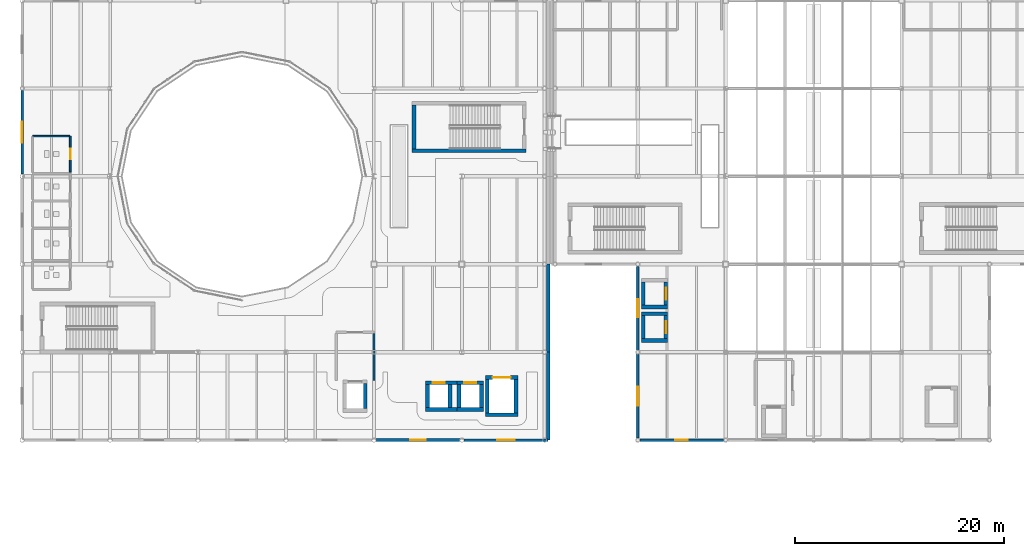
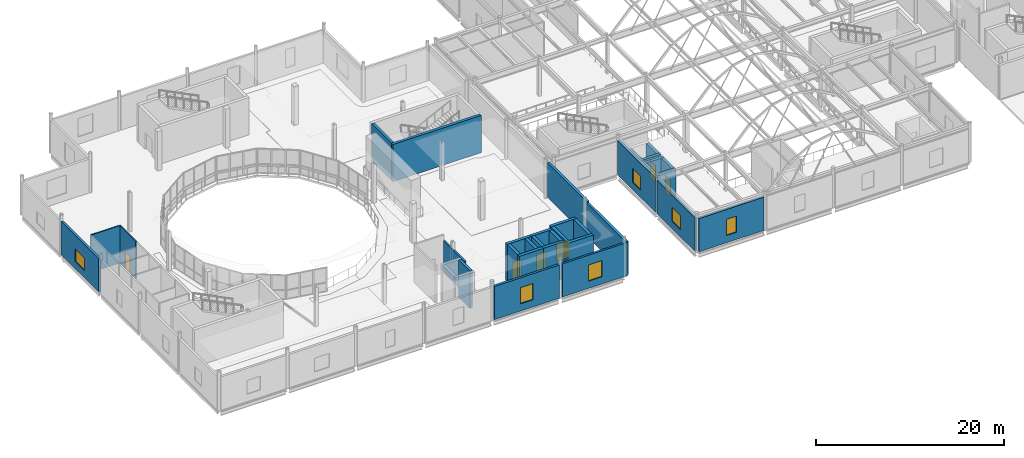
# One storey, part 63 of 103: 33 walls, 6 doors, 6 windows, 12 openings.
"""IFC4 building model written with IfcOpenShell, lengths in metres."""

from ifc_helpers import new_model, si_unit, direction, frame, frame_2d, origin, place, context, subcontext, project, spatial, rectangle, extrude, material, layer, layer_set, type_object, element, fill, save


model = new_model("IFC4")

# Units and contexts
model_context = context("Model", 3, precision=1e-05, world=origin(), true_north=direction((0.0, 1.0)))
body_context = subcontext(model_context, "Body", "Model", "MODEL_VIEW")
ifc_project = project(units=[si_unit("LENGTHUNIT", "METRE"), si_unit("AREAUNIT", "SQUARE_METRE"), si_unit("VOLUMEUNIT", "CUBIC_METRE"), si_unit("PLANEANGLEUNIT", "RADIAN"), si_unit("MASSUNIT", "GRAM", prefix="KILO"), si_unit("THERMODYNAMICTEMPERATUREUNIT", "KELVIN")], contexts=[model_context])

# Site, building, storey
site_placement = place(None, origin())
site = spatial("IfcSite", under=ifc_project, at=site_placement, CompositionType="ELEMENT")
building_placement = place(site_placement, origin())
building = spatial("IfcBuilding", under=site, at=building_placement, Name="Lustrewick Department Store", CompositionType="ELEMENT")
storey_placement = place(building_placement, frame((0.0, 0.0, 16.5)))
storey = spatial("IfcBuildingStorey", under=building, at=storey_placement, Name="L04", CompositionType="ELEMENT", Elevation=16.5)

# Wall, opening, window
ifc_material_1 = material(Name="Precast concrete C40", Category="concrete")
ifc_layer_1 = layer(ifc_material_1, 0.239990234375, Name="Precast concrete C40")
ifc_layer_set_1 = layer_set([ifc_layer_1], Name="Precast concrete C40")
wall_type_1 = type_object("IfcWallType", Name="EW01", PredefinedType="STANDARD", material=ifc_layer_set_1)
wall_1_placement = place(storey_placement, frame((50.597900390625, 42.0, 0.0), z_axis=(0.0, 0.0, 1.0), x_axis=(1.0, 0.0, 0.0)))
wall_1 = element("IfcWall", 1, at=wall_1_placement, inside=storey, type_object=wall_type_1, Name="L04 V1 Exterior Wall EW01", PredefinedType="STANDARD", context=body_context, shape_type="SweptSolid", body=[
    extrude(rectangle(XDim=8.052001953125, YDim=0.239990234375, at=frame_2d((4.02587890625, 0.0))), origin(), (0.0, 0.0, 1.0), 4.320068359375),
])
opening_1_placement = place(wall_1_placement, frame((3.18603515625, 0.0, 0.949951171875)))
opening_1 = element("IfcOpeningElement", 2, at=opening_1_placement, cuts=wall_1, Name="Opening WN09", PredefinedType="OPENING", context=body_context, shape_type="SweptSolid", body=[
    extrude(rectangle(XDim=1.679931640625, YDim=2.10009765625, at=frame_2d((0.83984375, 1.050048828125))), frame((0.0, 0.1298828125, 0.0), z_axis=(0.0, -1.0, 0.0), x_axis=(1.0, 0.0, 0.0)), (0.0, 0.0, 1.0), 0.260009765625),
])
ifc_material_2 = material(Name="Thermally broken Low-E triple-glazed window", Category="glass")
window_type_1 = type_object("IfcWindowType", Name="WN09", PartitioningType="DOUBLE_PANEL_VERTICAL", PredefinedType="WINDOW", material=ifc_material_2)
window_1_placement = place(opening_1_placement, origin())
window_1 = element("IfcWindow", 3, at=window_1_placement, inside=storey, type_object=window_type_1, Name="L04 Art Nouveau Window WN09", OverallHeight=2.10009765625, OverallWidth=1.679931640625, PartitioningType="SINGLE_PANEL", PredefinedType="WINDOW", context=body_context, shape_type="SweptSolid", body=[
    extrude(rectangle(XDim=1.679931640625, YDim=2.10009765625, at=frame_2d((0.83984375, 1.050048828125))), frame((0.0, 0.030029296875, 0.0), z_axis=(0.0, -1.0, 0.0), x_axis=(1.0, 0.0, 0.0)), (0.0, 0.0, 1.0), 0.06005859375),
])
fill(opening_1, window_1)

wall_2_placement = place(storey_placement, frame((67.199951171875, 50.216552734375, 0.0), z_axis=(0.0, 0.0, 1.0), x_axis=(0.0, -1.0, 0.0)))
wall_2 = element("IfcWall", 4, at=wall_2_placement, inside=storey, type_object=wall_type_1, Name="L04 V2 Exterior Wall EW01", PredefinedType="STANDARD", context=body_context, shape_type="SweptSolid", body=[
    extrude(rectangle(XDim=8.0185546875, YDim=0.239990234375, at=frame_2d((4.00927734375, 0.0))), origin(), (0.0, 0.0, 1.0), 4.320068359375),
])
opening_2_placement = place(wall_2_placement, frame((3.109375, 0.0, 0.949951171875)))
opening_2 = element("IfcOpeningElement", 5, at=opening_2_placement, cuts=wall_2, Name="Opening WN05", PredefinedType="OPENING", context=body_context, shape_type="SweptSolid", body=[
    extrude(rectangle(XDim=1.800048828125, YDim=1.800048828125, at=frame_2d((0.89990234375, 0.89990234375))), frame((0.0, 0.1298828125, 0.0), z_axis=(0.0, -1.0, 0.0), x_axis=(1.0, 0.0, 0.0)), (0.0, 0.0, 1.0), 0.260009765625),
])
window_type_2 = type_object("IfcWindowType", Name="WN05", PartitioningType="DOUBLE_PANEL_VERTICAL", PredefinedType="WINDOW", material=ifc_material_2)
window_2_placement = place(opening_2_placement, origin())
window_2 = element("IfcWindow", 6, at=window_2_placement, inside=storey, type_object=window_type_2, Name="L04 Art Nouveau Window WN05", OverallHeight=1.800048828125, OverallWidth=1.800048828125, PartitioningType="SINGLE_PANEL", PredefinedType="WINDOW", context=body_context, shape_type="SweptSolid", body=[
    extrude(rectangle(XDim=1.800048828125, YDim=1.800048828125, at=frame_2d((0.89990234375, 0.89990234375))), frame((0.0, 0.030029296875, 0.0), z_axis=(0.0, -1.0, 0.0), x_axis=(1.0, 0.0, 0.0)), (0.0, 0.0, 1.0), 0.06005859375),
])
fill(opening_2, window_2)

wall_3_placement = place(storey_placement, frame((67.39794921875, 42.0, 0.0), z_axis=(0.0, 0.0, 1.0), x_axis=(1.0, 0.0, 0.0)))
wall_3 = element("IfcWall", 7, at=wall_3_placement, inside=storey, type_object=wall_type_1, Name="L04 V2 Exterior Wall EW01", PredefinedType="STANDARD", context=body_context, shape_type="SweptSolid", body=[
    extrude(rectangle(XDim=8.004150390625, YDim=0.239990234375, at=frame_2d((4.001953125, 0.0))), origin(), (0.0, 0.0, 1.0), 4.320068359375),
])
opening_3_placement = place(wall_3_placement, frame((3.402099609375, 0.0, 0.949951171875)))
opening_3 = element("IfcOpeningElement", 8, at=opening_3_placement, cuts=wall_3, Name="Opening WN06", PredefinedType="OPENING", context=body_context, shape_type="SweptSolid", body=[
    extrude(rectangle(XDim=1.199951171875, YDim=2.10009765625, at=frame_2d((0.60009765625, 1.050048828125))), frame((0.0, 0.1298828125, 0.0), z_axis=(0.0, -1.0, 0.0), x_axis=(1.0, 0.0, 0.0)), (0.0, 0.0, 1.0), 0.260009765625),
])
window_type_3 = type_object("IfcWindowType", Name="WN06", PartitioningType="DOUBLE_PANEL_VERTICAL", PredefinedType="WINDOW", material=ifc_material_2)
window_3_placement = place(opening_3_placement, origin())
window_3 = element("IfcWindow", 9, at=window_3_placement, inside=storey, type_object=window_type_3, Name="L04 Art Nouveau Window WN06", OverallHeight=2.10009765625, OverallWidth=1.199951171875, PartitioningType="SINGLE_PANEL", PredefinedType="WINDOW", context=body_context, shape_type="SweptSolid", body=[
    extrude(rectangle(XDim=1.199951171875, YDim=2.10009765625, at=frame_2d((0.60009765625, 1.050048828125))), frame((0.0, 0.030029296875, 0.0), z_axis=(0.0, -1.0, 0.0), x_axis=(1.0, 0.0, 0.0)), (0.0, 0.0, 1.0), 0.06005859375),
])
fill(opening_3, window_3)

ifc_layer_2 = layer(ifc_material_1, 0.260009765625, Name="Precast concrete C40")
ifc_layer_set_2 = layer_set([ifc_layer_2], Name="Precast concrete C40")
wall_type_2 = type_object("IfcWallType", Name="EW02", PredefinedType="STANDARD", material=ifc_layer_set_2)
wall_4_placement = place(storey_placement, frame((8.39990234375, 75.41650390625, 0.0), z_axis=(0.0, 0.0, 1.0), x_axis=(0.0, -1.0, 0.0)))
wall_4 = element("IfcWall", 10, at=wall_4_placement, inside=storey, type_object=wall_type_2, Name="L04 V1 Exterior Wall EW02", PredefinedType="STANDARD", context=body_context, shape_type="SweptSolid", body=[
    extrude(rectangle(XDim=8.0185546875, YDim=0.260009765625, at=frame_2d((4.00927734375, 0.0))), origin(), (0.0, 0.0, 1.0), 4.3310546875),
])
opening_4_placement = place(wall_4_placement, frame((3.00927734375, 0.0, 0.949951171875)))
opening_4 = element("IfcOpeningElement", 11, at=opening_4_placement, cuts=wall_4, Name="Opening WN20", PredefinedType="OPENING", context=body_context, shape_type="SweptSolid", body=[
    extrude(rectangle(XDim=2.0, YDim=1.60009765625, at=frame_2d((1.0, 0.800048828125))), frame((0.0, 0.14013671875, 0.0), z_axis=(0.0, -1.0, 0.0), x_axis=(1.0, 0.0, 0.0)), (0.0, 0.0, 1.0), 0.280029296875),
])
window_type_4 = type_object("IfcWindowType", Name="WN20", PartitioningType="DOUBLE_PANEL_VERTICAL", PredefinedType="WINDOW", material=ifc_material_2)
window_4_placement = place(opening_4_placement, origin())
window_4 = element("IfcWindow", 12, at=window_4_placement, inside=storey, type_object=window_type_4, Name="L04 Art Nouveau Window WN20", OverallHeight=1.60009765625, OverallWidth=2.0, PartitioningType="SINGLE_PANEL", PredefinedType="WINDOW", context=body_context, shape_type="SweptSolid", body=[
    extrude(rectangle(XDim=2.0, YDim=1.60009765625, at=frame_2d((1.0, 0.800048828125))), frame((0.0, 0.030029296875, 0.0), z_axis=(0.0, -1.0, 0.0), x_axis=(1.0, 0.0, 0.0)), (0.0, 0.0, 1.0), 0.06005859375),
])
fill(opening_4, window_4)

ifc_layer_3 = layer(ifc_material_1, 0.280029296875, Name="Precast concrete C40")
ifc_layer_set_3 = layer_set([ifc_layer_3], Name="Precast concrete C40")
wall_type_3 = type_object("IfcWallType", Name="EW03", PredefinedType="STANDARD", material=ifc_layer_set_3)
wall_5_placement = place(storey_placement, frame((42.197998046875, 42.0, 0.0), z_axis=(0.0, 0.0, 1.0), x_axis=(1.0, 0.0, 0.0)))
wall_5 = element("IfcWall", 13, at=wall_5_placement, inside=storey, type_object=wall_type_3, Name="L04 V1 Exterior Wall EW03", PredefinedType="STANDARD", context=body_context, shape_type="SweptSolid", body=[
    extrude(rectangle(XDim=8.00390625, YDim=0.280029296875, at=frame_2d((4.001953125, 0.0))), origin(), (0.0, 0.0, 1.0), 4.320068359375),
])
opening_5_placement = place(wall_5_placement, frame((3.251953125, 0.0, 0.949951171875)))
opening_5 = element("IfcOpeningElement", 14, at=opening_5_placement, cuts=wall_5, Name="Opening WN08", PredefinedType="OPENING", context=body_context, shape_type="SweptSolid", body=[
    extrude(rectangle(XDim=1.5, YDim=2.10009765625, at=frame_2d((0.75, 1.050048828125))), frame((0.0, 0.14990234375, 0.0), z_axis=(0.0, -1.0, 0.0), x_axis=(1.0, 0.0, 0.0)), (0.0, 0.0, 1.0), 0.300048828125),
])
window_type_5 = type_object("IfcWindowType", Name="WN08", PartitioningType="DOUBLE_PANEL_VERTICAL", PredefinedType="WINDOW", material=ifc_material_2)
window_5_placement = place(opening_5_placement, origin())
window_5 = element("IfcWindow", 15, at=window_5_placement, inside=storey, type_object=window_type_5, Name="L04 Art Nouveau Window WN08", OverallHeight=2.10009765625, OverallWidth=1.5, PartitioningType="SINGLE_PANEL", PredefinedType="WINDOW", context=body_context, shape_type="SweptSolid", body=[
    extrude(rectangle(XDim=1.5, YDim=2.10009765625, at=frame_2d((0.75, 1.050048828125))), frame((0.0, 0.030029296875, 0.0), z_axis=(0.0, -1.0, 0.0), x_axis=(1.0, 0.0, 0.0)), (0.0, 0.0, 1.0), 0.06005859375),
])
fill(opening_5, window_5)

wall_6_placement = place(storey_placement, frame((67.199951171875, 58.60205078125, 0.0), z_axis=(0.0, 0.0, 1.0), x_axis=(0.0, -1.0, 0.0)))
wall_6 = element("IfcWall", 16, at=wall_6_placement, inside=storey, type_object=wall_type_3, Name="L04 V2 Exterior Wall EW03", PredefinedType="STANDARD", context=body_context, shape_type="SweptSolid", body=[
    extrude(rectangle(XDim=8.0185546875, YDim=0.280029296875, at=frame_2d((4.00927734375, 0.0))), origin(), (0.0, 0.0, 1.0), 4.487060546875),
])
opening_6_placement = place(wall_6_placement, frame((3.169189453125, 0.0, 0.949951171875)))
opening_6 = element("IfcOpeningElement", 17, at=opening_6_placement, cuts=wall_6, Name="Opening WN04", PredefinedType="OPENING", context=body_context, shape_type="SweptSolid", body=[
    extrude(rectangle(XDim=1.679931640625, YDim=1.800048828125, at=frame_2d((0.83984375, 0.89990234375))), frame((0.0, 0.14990234375, 0.0), z_axis=(0.0, -1.0, 0.0), x_axis=(1.0, 0.0, 0.0)), (0.0, 0.0, 1.0), 0.300048828125),
])
window_type_6 = type_object("IfcWindowType", Name="WN04", PartitioningType="DOUBLE_PANEL_VERTICAL", PredefinedType="WINDOW", material=ifc_material_2)
window_6_placement = place(opening_6_placement, origin())
window_6 = element("IfcWindow", 18, at=window_6_placement, inside=storey, type_object=window_type_6, Name="L04 Art Nouveau Window WN04", OverallHeight=1.800048828125, OverallWidth=1.679931640625, PartitioningType="SINGLE_PANEL", PredefinedType="WINDOW", context=body_context, shape_type="SweptSolid", body=[
    extrude(rectangle(XDim=1.679931640625, YDim=1.800048828125, at=frame_2d((0.83984375, 0.89990234375))), frame((0.0, 0.030029296875, 0.0), z_axis=(0.0, -1.0, 0.0), x_axis=(1.0, 0.0, 0.0)), (0.0, 0.0, 1.0), 0.06005859375),
])
fill(opening_6, window_6)

# Walls
ifc_layer_4 = layer(ifc_material_1, 0.300048828125, Name="Precast concrete C40")
ifc_layer_set_4 = layer_set([ifc_layer_4], Name="Precast concrete C40")
wall_type_4 = type_object("IfcWallType", Name="EW04", PredefinedType="STANDARD", material=ifc_layer_set_4)
wall_7_placement = place(storey_placement, frame((58.64990234375, 42.0, 0.0), z_axis=(0.0, 0.0, 1.0), x_axis=(0.0, 1.0, 0.0)))
element("IfcWall", 19, at=wall_7_placement, inside=storey, type_object=wall_type_4, Name="L04 V1 Exterior Wall EW04", PredefinedType="STANDARD", context=body_context, shape_type="SweptSolid", body=[
    extrude(rectangle(XDim=8.39990234375, YDim=0.300048828125, at=frame_2d((4.199951171875, 0.0))), origin(), (0.0, 0.0, 1.0), 4.320068359375),
])
wall_8_placement = place(storey_placement, frame((58.64990234375, 50.39990234375, 0.0), z_axis=(0.0, 0.0, 1.0), x_axis=(0.0, 1.0, 0.0)))
element("IfcWall", 20, at=wall_8_placement, inside=storey, type_object=wall_type_4, Name="L04 V1 Exterior Wall EW04", PredefinedType="STANDARD", context=body_context, shape_type="SweptSolid", body=[
    extrude(rectangle(XDim=8.400146484375, YDim=0.300048828125, at=frame_2d((4.2001953125, 0.0))), origin(), (0.0, 0.0, 1.0), 4.487060546875),
])
ifc_material_3 = material(Name="Autoclaved aerated concrete blockwork and fire board", Category="masonry")
ifc_layer_5 = layer(ifc_material_3, 0.205078125, Name="Autoclaved aerated concrete blockwork and fire board")
ifc_layer_set_5 = layer_set([ifc_layer_5], Name="Autoclaved aerated concrete blockwork and fire board")
wall_type_5 = type_object("IfcWallType", Name="PW02", PredefinedType="PARTITIONING", material=ifc_layer_set_5)
wall_9_placement = place(storey_placement, frame((42.0, 47.699951171875, 0.0), z_axis=(0.0, 0.0, 1.0), x_axis=(0.0, 1.0, 0.0)))
element("IfcWall", 21, at=wall_9_placement, inside=storey, type_object=wall_type_5, Name="L04 Firefighting Lift Lobby FFL-01 PW02", PredefinedType="PARTITIONING", context=body_context, shape_type="SweptSolid", body=[
    extrude(rectangle(XDim=4.50244140625, YDim=0.205078125, at=frame_2d((2.251220703125, 0.0))), origin(), (0.0, 0.0, 1.0), 4.14501953125),
])

# Wall, opening, door
ifc_material_4 = material(Name="Moisture-resistant cement board sanitary partition", Category="gypsum")
ifc_layer_6 = layer(ifc_material_4, 0.14990234375, Name="Moisture-resistant cement board sanitary partition")
ifc_layer_set_6 = layer_set([ifc_layer_6], Name="Moisture-resistant cement board sanitary partition")
wall_type_6 = type_object("IfcWallType", Name="PW05", PredefinedType="PARTITIONING", material=ifc_layer_set_6)
wall_10_placement = place(storey_placement, frame((13.0, 67.60009765625, 0.0), z_axis=(0.0, 0.0, 1.0), x_axis=(0.0, 1.0, 0.0)))
wall_10 = element("IfcWall", 22, at=wall_10_placement, inside=storey, type_object=wall_type_6, Name="L04 Nursery Room PW05", PredefinedType="PARTITIONING", context=body_context, shape_type="SweptSolid", body=[
    extrude(rectangle(XDim=3.43994140625, YDim=0.14990234375, at=frame_2d((1.719970703125, 0.0))), origin(), (0.0, 0.0, 1.0), 4.844970703125),
])
opening_7_placement = place(wall_10_placement, frame((1.22998046875, 0.0, 0.0)))
opening_7 = element("IfcOpeningElement", 23, at=opening_7_placement, cuts=wall_10, Name="Opening D-L04-046", PredefinedType="OPENING", context=body_context, shape_type="SweptSolid", body=[
    extrude(rectangle(XDim=0.97998046875, YDim=2.10009765625, at=frame_2d((0.489990234375, 1.050048828125))), frame((0.0, 0.0849609375, 0.0), z_axis=(0.0, -1.0, 0.0), x_axis=(1.0, 0.0, 0.0)), (0.0, 0.0, 1.0), 0.169921875),
])
ifc_material_5 = material(Name="Barrier-free accessible sanitary door", Category="steel")
door_type_1 = type_object("IfcDoorType", Name="DT-12", OperationType="NOTDEFINED", PredefinedType="DOOR", material=ifc_material_5)
door_1_placement = place(opening_7_placement, origin())
door_1 = element("IfcDoor", 24, at=door_1_placement, inside=storey, type_object=door_type_1, Name="L04 Nursery Room Door D-L04-046", OperationType="SINGLE_SWING_RIGHT", OverallHeight=2.10009765625, OverallWidth=0.97998046875, PredefinedType="DOOR", context=body_context, shape_type="SweptSolid", body=[
    extrude(rectangle(XDim=0.97998046875, YDim=2.10009765625, at=frame_2d((0.489990234375, 1.050048828125))), frame((0.0, 0.02490234375, 0.0), z_axis=(0.0, -1.0, 0.0), x_axis=(1.0, 0.0, 0.0)), (0.0, 0.0, 1.0), 0.050048828125),
])
fill(opening_7, door_1)

# Walls
wall_11_placement = place(storey_placement, frame((12.929931640625, 71.0400390625, 0.0), z_axis=(0.0, 0.0, 1.0), x_axis=(-1.0, 0.0, 0.0)))
element("IfcWall", 25, at=wall_11_placement, inside=storey, type_object=wall_type_6, Name="L04 Nursery Room PW05", PredefinedType="PARTITIONING", context=body_context, shape_type="SweptSolid", body=[
    extrude(rectangle(XDim=3.530029296875, YDim=0.14990234375, at=frame_2d((1.76513671875, 0.0))), origin(), (0.0, 0.0, 1.0), 4.844970703125),
])
ifc_material_6 = material(Name="Concrete C40", Category="concrete")
ifc_layer_7 = layer(ifc_material_6, 0.360107421875, Name="Concrete C40")
ifc_layer_set_7 = layer_set([ifc_layer_7], Name="Concrete C40")
wall_type_7 = type_object("IfcWallType", Name="SW04", PredefinedType="SHEAR", material=ifc_layer_set_7)
wall_12_placement = place(storey_placement, frame((41.179931640625, 45.0, 0.0), z_axis=(0.0, 0.0, 1.0), x_axis=(0.0, 1.0, 0.0)))
element("IfcWall", 26, at=wall_12_placement, inside=storey, type_object=wall_type_7, Name="L04 Lift FFL-01 Shaft Wall +X", PredefinedType="SHEAR", context=body_context, shape_type="SweptSolid", body=[
    extrude(rectangle(XDim=2.39990234375, YDim=0.360107421875, at=frame_2d((1.199951171875, 0.0))), origin(), (0.0, 0.0, 1.0), 4.844970703125),
])
wall_13_placement = place(storey_placement, frame((46.93994140625, 44.919921875, 0.0), z_axis=(0.0, 0.0, 1.0), x_axis=(1.0, 0.0, 0.0)))
element("IfcWall", 27, at=wall_13_placement, inside=storey, type_object=wall_type_7, Name="L04 Lift PL-01 Shaft Wall -Y", PredefinedType="SHEAR", context=body_context, shape_type="SweptSolid", body=[
    extrude(rectangle(XDim=3.0, YDim=0.360107421875, at=frame_2d((1.5, 0.0))), origin(), (0.0, 0.0, 1.0), 4.844970703125),
])
wall_14_placement = place(storey_placement, frame((49.280029296875, 45.10009765625, 0.0), z_axis=(0.0, 0.0, 1.0), x_axis=(0.0, 1.0, 0.0)))
element("IfcWall", 28, at=wall_14_placement, inside=storey, type_object=wall_type_7, Name="L04 Lift PL-01 Shaft Wall +X", PredefinedType="SHEAR", context=body_context, shape_type="SweptSolid", body=[
    extrude(rectangle(XDim=2.199951171875, YDim=0.360107421875, at=frame_2d((1.10009765625, 0.0))), origin(), (0.0, 0.0, 1.0), 4.844970703125),
])

# Wall, opening, door
wall_15_placement = place(storey_placement, frame((49.93994140625, 47.47998046875, 0.0), z_axis=(0.0, 0.0, 1.0), x_axis=(-1.0, 0.0, 0.0)))
wall_15 = element("IfcWall", 29, at=wall_15_placement, inside=storey, type_object=wall_type_7, Name="L04 Lift PL-01 Shaft Wall +Y", PredefinedType="SHEAR", context=body_context, shape_type="SweptSolid", body=[
    extrude(rectangle(XDim=3.0, YDim=0.360107421875, at=frame_2d((1.5, 0.0))), origin(), (0.0, 0.0, 1.0), 4.844970703125),
])
opening_8_placement = place(wall_15_placement, frame((1.1650390625, 0.0, 0.0)))
opening_8 = element("IfcOpeningElement", 30, at=opening_8_placement, cuts=wall_15, Name="Opening LD-L04-05", PredefinedType="OPENING", context=body_context, shape_type="SweptSolid", body=[
    extrude(rectangle(XDim=1.14990234375, YDim=2.199951171875, at=frame_2d((0.574951171875, 1.10009765625))), frame((0.0, 0.18994140625, 0.0), z_axis=(0.0, -1.0, 0.0), x_axis=(1.0, 0.0, 0.0)), (0.0, 0.0, 1.0), 0.380126953125),
])
ifc_material_7 = material(Name="Brushed bronze passenger lift landing door EI 60", Category="steel")
door_type_2 = type_object("IfcDoorType", Name="DT-16", OperationType="NOTDEFINED", PredefinedType="DOOR", material=ifc_material_7)
door_2_placement = place(opening_8_placement, frame((1.14990234375, 0.0, 0.0), z_axis=(0.0, 0.0, 1.0), x_axis=(-1.0, 0.0, 0.0)))
door_2 = element("IfcDoor", 31, at=door_2_placement, inside=storey, type_object=door_type_2, Name="L04 Lift PL-01 Sliding Landing Door LD-L04-05", OperationType="DOUBLE_DOOR_SLIDING", OverallHeight=2.199951171875, OverallWidth=1.14990234375, PredefinedType="DOOR", context=body_context, shape_type="SweptSolid", body=[
    extrude(rectangle(XDim=1.14990234375, YDim=2.199951171875, at=frame_2d((0.574951171875, 1.10009765625))), frame((0.0, 0.02490234375, 0.0), z_axis=(0.0, -1.0, 0.0), x_axis=(1.0, 0.0, 0.0)), (0.0, 0.0, 1.0), 0.050048828125),
])
fill(opening_8, door_2)

# Walls
wall_16_placement = place(storey_placement, frame((47.1201171875, 47.300048828125, 0.0), z_axis=(0.0, 0.0, 1.0), x_axis=(0.0, -1.0, 0.0)))
element("IfcWall", 32, at=wall_16_placement, inside=storey, type_object=wall_type_7, Name="L04 Lift PL-01 Shaft Wall -X", PredefinedType="SHEAR", context=body_context, shape_type="SweptSolid", body=[
    extrude(rectangle(XDim=2.199951171875, YDim=0.360107421875, at=frame_2d((1.10009765625, 0.0))), origin(), (0.0, 0.0, 1.0), 4.844970703125),
])
wall_17_placement = place(storey_placement, frame((49.93994140625, 44.919921875, 0.0), z_axis=(0.0, 0.0, 1.0), x_axis=(1.0, 0.0, 0.0)))
element("IfcWall", 33, at=wall_17_placement, inside=storey, type_object=wall_type_7, Name="L04 Lift PL-02 Shaft Wall -Y", PredefinedType="SHEAR", context=body_context, shape_type="SweptSolid", body=[
    extrude(rectangle(XDim=2.52001953125, YDim=0.360107421875, at=frame_2d((1.260009765625, 0.0))), origin(), (0.0, 0.0, 1.0), 4.844970703125),
])
wall_18_placement = place(storey_placement, frame((52.280029296875, 45.10009765625, 0.0), z_axis=(0.0, 0.0, 1.0), x_axis=(0.0, 1.0, 0.0)))
element("IfcWall", 34, at=wall_18_placement, inside=storey, type_object=wall_type_7, Name="L04 Lift PL-02 Shaft Wall +X", PredefinedType="SHEAR", context=body_context, shape_type="SweptSolid", body=[
    extrude(rectangle(XDim=2.199951171875, YDim=0.360107421875, at=frame_2d((1.10009765625, 0.0))), origin(), (0.0, 0.0, 1.0), 4.844970703125),
])

# Wall, opening, door
wall_19_placement = place(storey_placement, frame((52.4599609375, 47.47998046875, 0.0), z_axis=(0.0, 0.0, 1.0), x_axis=(-1.0, 0.0, 0.0)))
wall_19 = element("IfcWall", 35, at=wall_19_placement, inside=storey, type_object=wall_type_7, Name="L04 Lift PL-02 Shaft Wall +Y", PredefinedType="SHEAR", context=body_context, shape_type="SweptSolid", body=[
    extrude(rectangle(XDim=2.52001953125, YDim=0.360107421875, at=frame_2d((1.260009765625, 0.0))), origin(), (0.0, 0.0, 1.0), 4.844970703125),
])
opening_9_placement = place(wall_19_placement, frame((0.68505859375, 0.0, 0.0)))
opening_9 = element("IfcOpeningElement", 36, at=opening_9_placement, cuts=wall_19, Name="Opening LD-L04-06", PredefinedType="OPENING", context=body_context, shape_type="SweptSolid", body=[
    extrude(rectangle(XDim=1.14990234375, YDim=2.199951171875, at=frame_2d((0.574951171875, 1.10009765625))), frame((0.0, 0.18994140625, 0.0), z_axis=(0.0, -1.0, 0.0), x_axis=(1.0, 0.0, 0.0)), (0.0, 0.0, 1.0), 0.380126953125),
])
door_3_placement = place(opening_9_placement, frame((1.14990234375, 0.0, 0.0), z_axis=(0.0, 0.0, 1.0), x_axis=(-1.0, 0.0, 0.0)))
door_3 = element("IfcDoor", 37, at=door_3_placement, inside=storey, type_object=door_type_2, Name="L04 Lift PL-02 Sliding Landing Door LD-L04-06", OperationType="DOUBLE_DOOR_SLIDING", OverallHeight=2.199951171875, OverallWidth=1.14990234375, PredefinedType="DOOR", context=body_context, shape_type="SweptSolid", body=[
    extrude(rectangle(XDim=1.14990234375, YDim=2.199951171875, at=frame_2d((0.574951171875, 1.10009765625))), frame((0.0, 0.02490234375, 0.0), z_axis=(0.0, -1.0, 0.0), x_axis=(1.0, 0.0, 0.0)), (0.0, 0.0, 1.0), 0.050048828125),
])
fill(opening_9, door_3)

# Walls
wall_20_placement = place(storey_placement, frame((50.1201171875, 47.300048828125, 0.0), z_axis=(0.0, 0.0, 1.0), x_axis=(0.0, -1.0, 0.0)))
element("IfcWall", 38, at=wall_20_placement, inside=storey, type_object=wall_type_7, Name="L04 Lift PL-02 Shaft Wall -X", PredefinedType="SHEAR", context=body_context, shape_type="SweptSolid", body=[
    extrude(rectangle(XDim=2.199951171875, YDim=0.360107421875, at=frame_2d((1.10009765625, 0.0))), origin(), (0.0, 0.0, 1.0), 4.844970703125),
])
wall_21_placement = place(storey_placement, frame((67.5400390625, 51.52001953125, 0.0), z_axis=(0.0, 0.0, 1.0), x_axis=(1.0, 0.0, 0.0)))
element("IfcWall", 39, at=wall_21_placement, inside=storey, type_object=wall_type_7, Name="L04 Lift PL-03 Shaft Wall -Y", PredefinedType="SHEAR", context=body_context, shape_type="SweptSolid", body=[
    extrude(rectangle(XDim=2.52001953125, YDim=0.360107421875, at=frame_2d((1.260009765625, 0.0))), origin(), (0.0, 0.0, 1.0), 4.094970703125),
])

# Wall, opening, door
wall_22_placement = place(storey_placement, frame((69.8798828125, 51.699951171875, 0.0), z_axis=(0.0, 0.0, 1.0), x_axis=(0.0, 1.0, 0.0)))
wall_22 = element("IfcWall", 40, at=wall_22_placement, inside=storey, type_object=wall_type_7, Name="L04 Lift PL-03 Shaft Wall +X", PredefinedType="SHEAR", context=body_context, shape_type="SweptSolid", body=[
    extrude(rectangle(XDim=2.199951171875, YDim=0.360107421875, at=frame_2d((1.10009765625, 0.0))), origin(), (0.0, 0.0, 1.0), 4.094970703125),
])
opening_10_placement = place(wall_22_placement, frame((0.52490234375, 0.0, 0.0)))
opening_10 = element("IfcOpeningElement", 41, at=opening_10_placement, cuts=wall_22, Name="Opening LD-L04-07", PredefinedType="OPENING", context=body_context, shape_type="SweptSolid", body=[
    extrude(rectangle(XDim=1.14990234375, YDim=2.199951171875, at=frame_2d((0.574951171875, 1.10009765625))), frame((0.0, 0.18994140625, 0.0), z_axis=(0.0, -1.0, 0.0), x_axis=(1.0, 0.0, 0.0)), (0.0, 0.0, 1.0), 0.380126953125),
])
door_4_placement = place(opening_10_placement, frame((1.14990234375, 0.0, 0.0), z_axis=(0.0, 0.0, 1.0), x_axis=(-1.0, 0.0, 0.0)))
door_4 = element("IfcDoor", 42, at=door_4_placement, inside=storey, type_object=door_type_2, Name="L04 Lift PL-03 Sliding Landing Door LD-L04-07", OperationType="DOUBLE_DOOR_SLIDING", OverallHeight=2.199951171875, OverallWidth=1.14990234375, PredefinedType="DOOR", context=body_context, shape_type="SweptSolid", body=[
    extrude(rectangle(XDim=1.14990234375, YDim=2.199951171875, at=frame_2d((0.574951171875, 1.10009765625))), frame((0.0, 0.02490234375, 0.0), z_axis=(0.0, -1.0, 0.0), x_axis=(1.0, 0.0, 0.0)), (0.0, 0.0, 1.0), 0.050048828125),
])
fill(opening_10, door_4)

# Walls
wall_23_placement = place(storey_placement, frame((70.06005859375, 54.080078125, 0.0), z_axis=(0.0, 0.0, 1.0), x_axis=(-1.0, 0.0, 0.0)))
element("IfcWall", 43, at=wall_23_placement, inside=storey, type_object=wall_type_7, Name="L04 Lift PL-03 Shaft Wall +Y", PredefinedType="SHEAR", context=body_context, shape_type="SweptSolid", body=[
    extrude(rectangle(XDim=2.52001953125, YDim=0.360107421875, at=frame_2d((1.260009765625, 0.0))), origin(), (0.0, 0.0, 1.0), 4.094970703125),
])
wall_24_placement = place(storey_placement, frame((67.719970703125, 53.89990234375, 0.0), z_axis=(0.0, 0.0, 1.0), x_axis=(0.0, -1.0, 0.0)))
element("IfcWall", 44, at=wall_24_placement, inside=storey, type_object=wall_type_7, Name="L04 Lift PL-03 Shaft Wall -X", PredefinedType="SHEAR", context=body_context, shape_type="SweptSolid", body=[
    extrude(rectangle(XDim=2.199951171875, YDim=0.360107421875, at=frame_2d((1.10009765625, 0.0))), origin(), (0.0, 0.0, 1.0), 4.094970703125),
])
wall_25_placement = place(storey_placement, frame((67.5400390625, 54.719970703125, 0.0), z_axis=(0.0, 0.0, 1.0), x_axis=(1.0, 0.0, 0.0)))
element("IfcWall", 45, at=wall_25_placement, inside=storey, type_object=wall_type_7, Name="L04 Lift PL-04 Shaft Wall -Y", PredefinedType="SHEAR", context=body_context, shape_type="SweptSolid", body=[
    extrude(rectangle(XDim=2.52001953125, YDim=0.360107421875, at=frame_2d((1.260009765625, 0.0))), origin(), (0.0, 0.0, 1.0), 4.094970703125),
])

# Wall, opening, door
wall_26_placement = place(storey_placement, frame((69.8798828125, 54.89990234375, 0.0), z_axis=(0.0, 0.0, 1.0), x_axis=(0.0, 1.0, 0.0)))
wall_26 = element("IfcWall", 46, at=wall_26_placement, inside=storey, type_object=wall_type_7, Name="L04 Lift PL-04 Shaft Wall +X", PredefinedType="SHEAR", context=body_context, shape_type="SweptSolid", body=[
    extrude(rectangle(XDim=2.2001953125, YDim=0.360107421875, at=frame_2d((1.10009765625, 0.0))), origin(), (0.0, 0.0, 1.0), 4.094970703125),
])
opening_11_placement = place(wall_26_placement, frame((0.52490234375, 0.0, 0.0)))
opening_11 = element("IfcOpeningElement", 47, at=opening_11_placement, cuts=wall_26, Name="Opening LD-L04-08", PredefinedType="OPENING", context=body_context, shape_type="SweptSolid", body=[
    extrude(rectangle(XDim=1.14990234375, YDim=2.199951171875, at=frame_2d((0.574951171875, 1.10009765625))), frame((0.0, 0.18994140625, 0.0), z_axis=(0.0, -1.0, 0.0), x_axis=(1.0, 0.0, 0.0)), (0.0, 0.0, 1.0), 0.380126953125),
])
door_5_placement = place(opening_11_placement, frame((1.14990234375, 0.0, 0.0), z_axis=(0.0, 0.0, 1.0), x_axis=(-1.0, 0.0, 0.0)))
door_5 = element("IfcDoor", 48, at=door_5_placement, inside=storey, type_object=door_type_2, Name="L04 Lift PL-04 Sliding Landing Door LD-L04-08", OperationType="DOUBLE_DOOR_SLIDING", OverallHeight=2.199951171875, OverallWidth=1.14990234375, PredefinedType="DOOR", context=body_context, shape_type="SweptSolid", body=[
    extrude(rectangle(XDim=1.14990234375, YDim=2.199951171875, at=frame_2d((0.574951171875, 1.10009765625))), frame((0.0, 0.02490234375, 0.0), z_axis=(0.0, -1.0, 0.0), x_axis=(1.0, 0.0, 0.0)), (0.0, 0.0, 1.0), 0.050048828125),
])
fill(opening_11, door_5)

# Walls
wall_27_placement = place(storey_placement, frame((67.719970703125, 57.10009765625, 0.0), z_axis=(0.0, 0.0, 1.0), x_axis=(0.0, -1.0, 0.0)))
element("IfcWall", 49, at=wall_27_placement, inside=storey, type_object=wall_type_7, Name="L04 Lift PL-04 Shaft Wall -X", PredefinedType="SHEAR", context=body_context, shape_type="SweptSolid", body=[
    extrude(rectangle(XDim=2.2001953125, YDim=0.360107421875, at=frame_2d((1.10009765625, 0.0))), origin(), (0.0, 0.0, 1.0), 4.094970703125),
])
wall_28_placement = place(storey_placement, frame((52.639892578125, 44.419921875, 0.0), z_axis=(0.0, 0.0, 1.0), x_axis=(1.0, 0.0, 0.0)))
element("IfcWall", 50, at=wall_28_placement, inside=storey, type_object=wall_type_7, Name="L04 Lift GL-01 Shaft Wall -Y", PredefinedType="SHEAR", context=body_context, shape_type="SweptSolid", body=[
    extrude(rectangle(XDim=3.1201171875, YDim=0.360107421875, at=frame_2d((1.56005859375, 0.0))), origin(), (0.0, 0.0, 1.0), 4.844970703125),
])
wall_29_placement = place(storey_placement, frame((55.580078125, 44.60009765625, 0.0), z_axis=(0.0, 0.0, 1.0), x_axis=(0.0, 1.0, 0.0)))
element("IfcWall", 51, at=wall_29_placement, inside=storey, type_object=wall_type_7, Name="L04 Lift GL-01 Shaft Wall +X", PredefinedType="SHEAR", context=body_context, shape_type="SweptSolid", body=[
    extrude(rectangle(XDim=3.199951171875, YDim=0.360107421875, at=frame_2d((1.60009765625, 0.0))), origin(), (0.0, 0.0, 1.0), 4.844970703125),
])

# Wall, opening, door
wall_30_placement = place(storey_placement, frame((55.760009765625, 47.97998046875, 0.0), z_axis=(0.0, 0.0, 1.0), x_axis=(-1.0, 0.0, 0.0)))
wall_30 = element("IfcWall", 52, at=wall_30_placement, inside=storey, type_object=wall_type_7, Name="L04 Lift GL-01 Shaft Wall +Y", PredefinedType="SHEAR", context=body_context, shape_type="SweptSolid", body=[
    extrude(rectangle(XDim=3.1201171875, YDim=0.360107421875, at=frame_2d((1.56005859375, 0.0))), origin(), (0.0, 0.0, 1.0), 4.844970703125),
])
opening_12_placement = place(wall_30_placement, frame((0.7099609375, 0.0, 0.0)))
opening_12 = element("IfcOpeningElement", 53, at=opening_12_placement, cuts=wall_30, Name="Opening LD-L04-13", PredefinedType="OPENING", context=body_context, shape_type="SweptSolid", body=[
    extrude(rectangle(XDim=1.699951171875, YDim=2.300048828125, at=frame_2d((0.85009765625, 1.14990234375))), frame((0.0, 0.18994140625, 0.0), z_axis=(0.0, -1.0, 0.0), x_axis=(1.0, 0.0, 0.0)), (0.0, 0.0, 1.0), 0.380126953125),
])
ifc_material_8 = material(Name="Heavy-duty stainless goods lift landing door EI 90", Category="steel")
door_type_3 = type_object("IfcDoorType", Name="DT-17", OperationType="NOTDEFINED", PredefinedType="DOOR", material=ifc_material_8)
door_6_placement = place(opening_12_placement, frame((1.699951171875, 0.0, 0.0), z_axis=(0.0, 0.0, 1.0), x_axis=(-1.0, 0.0, 0.0)))
door_6 = element("IfcDoor", 54, at=door_6_placement, inside=storey, type_object=door_type_3, Name="L04 Lift GL-01 Sliding Landing Door LD-L04-13", OperationType="DOUBLE_DOOR_SLIDING", OverallHeight=2.300048828125, OverallWidth=1.699951171875, PredefinedType="DOOR", context=body_context, shape_type="SweptSolid", body=[
    extrude(rectangle(XDim=1.699951171875, YDim=2.300048828125, at=frame_2d((0.85009765625, 1.14990234375))), frame((0.0, 0.02490234375, 0.0), z_axis=(0.0, -1.0, 0.0), x_axis=(1.0, 0.0, 0.0)), (0.0, 0.0, 1.0), 0.050048828125),
])
fill(opening_12, door_6)

# Walls
wall_31_placement = place(storey_placement, frame((52.820068359375, 47.800048828125, 0.0), z_axis=(0.0, 0.0, 1.0), x_axis=(0.0, -1.0, 0.0)))
element("IfcWall", 55, at=wall_31_placement, inside=storey, type_object=wall_type_7, Name="L04 Lift GL-01 Shaft Wall -X", PredefinedType="SHEAR", context=body_context, shape_type="SweptSolid", body=[
    extrude(rectangle(XDim=3.199951171875, YDim=0.360107421875, at=frame_2d((1.60009765625, 0.0))), origin(), (0.0, 0.0, 1.0), 4.844970703125),
])
ifc_layer_8 = layer(ifc_material_6, 0.340087890625, Name="Concrete C40")
ifc_layer_set_8 = layer_set([ifc_layer_8], Name="Concrete C40")
wall_type_8 = type_object("IfcWallType", Name="SW05", PredefinedType="SHEAR", material=ifc_layer_set_8)
wall_32_placement = place(storey_placement, frame((45.659912109375, 69.6298828125, 0.0), z_axis=(0.0, 0.0, 1.0), x_axis=(1.0, 0.0, 0.0)))
element("IfcWall", 56, at=wall_32_placement, inside=storey, type_object=wall_type_8, Name="L04 Stair Core ST02 Shear Wall S", PredefinedType="SHEAR", context=body_context, shape_type="SweptSolid", body=[
    extrude(rectangle(XDim=10.880126953125, YDim=0.340087890625, at=frame_2d((5.43994140625, 0.0))), origin(), (0.0, 0.0, 1.0), 4.844970703125),
])
wall_33_placement = place(storey_placement, frame((45.830078125, 74.0, 0.0), z_axis=(0.0, 0.0, 1.0), x_axis=(0.0, -1.0, 0.0)))
element("IfcWall", 57, at=wall_33_placement, inside=storey, type_object=wall_type_8, Name="L04 Stair Core ST02 Shear Wall W", PredefinedType="SHEAR", context=body_context, shape_type="SweptSolid", body=[
    extrude(rectangle(XDim=4.199951171875, YDim=0.340087890625, at=frame_2d((2.10009765625, 0.0))), origin(), (0.0, 0.0, 1.0), 4.844970703125),
])

save(model, "model.ifc")
